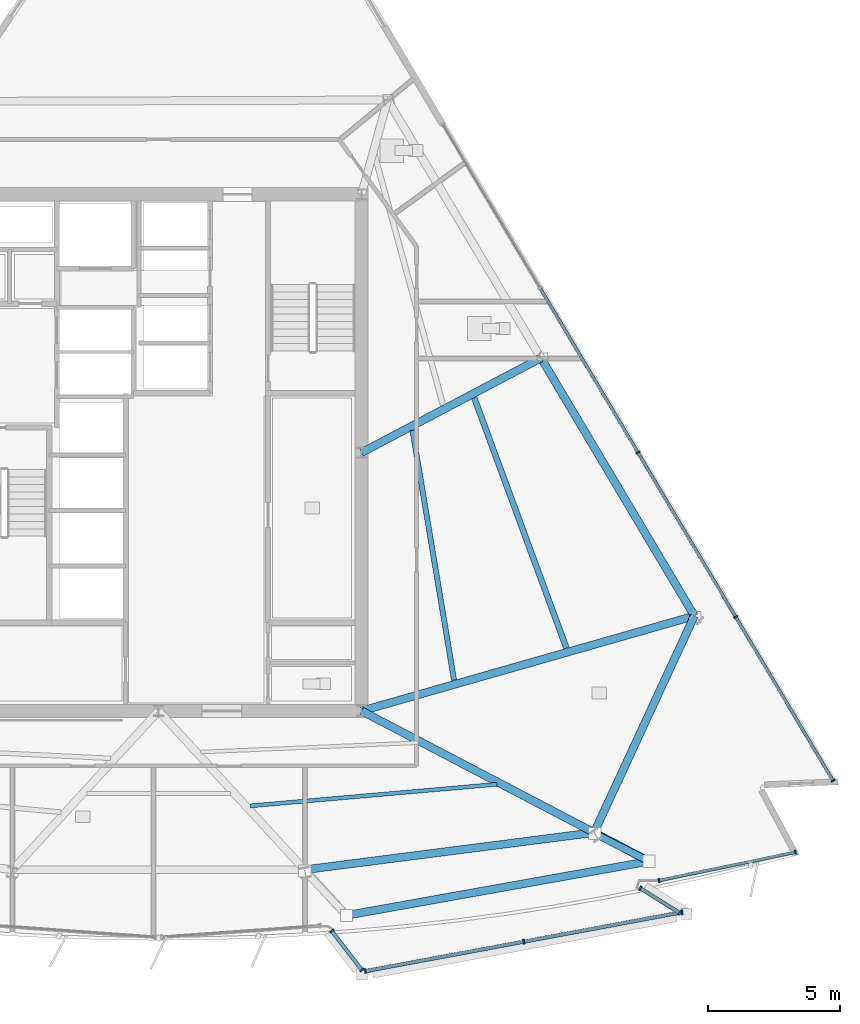
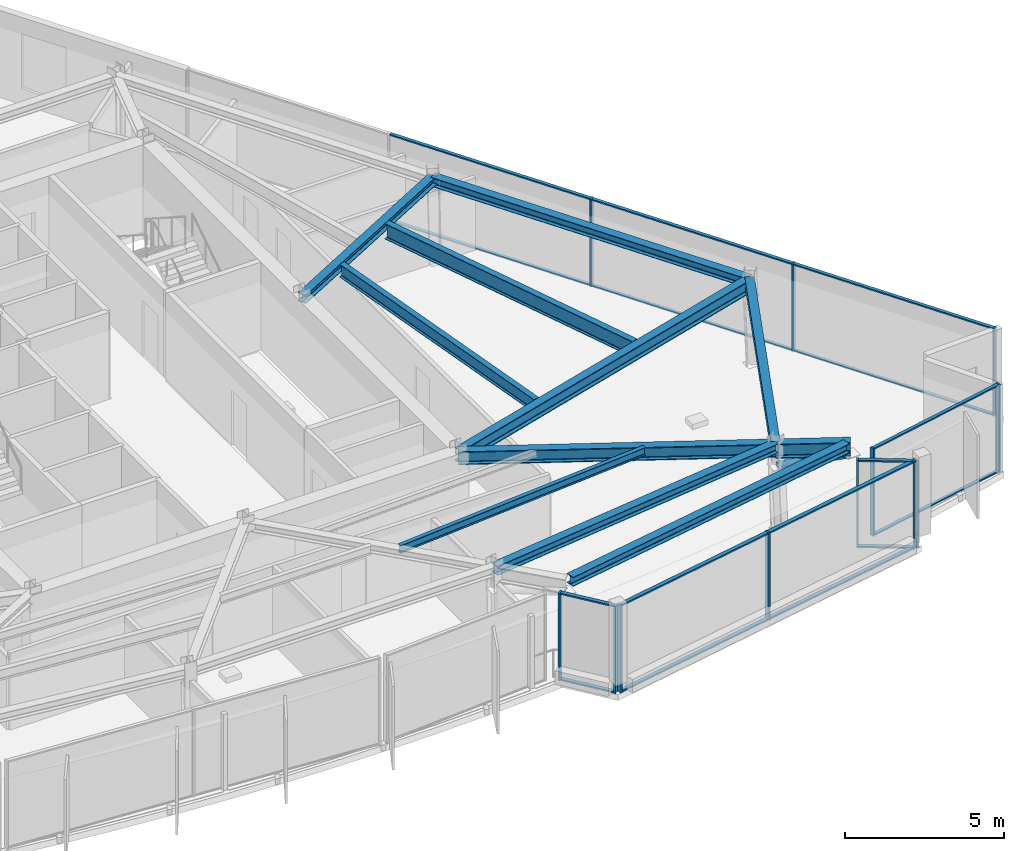
# One storey, part 5 of 13: 29 members, 11 beams, 5 elements without a shape of their own.
"""IFC4 building model written with IfcOpenShell, lengths in metres."""

from ifc_helpers import new_model, si_unit, direction, frame, origin, origin_2d, place, context, subcontext, project, spatial, rectangle, hollow_circle, i_section, extrude, material, material_profile, profile_set, type_object, element, aggregate, save


model = new_model("IFC4")

# Units and contexts
model_context = context("Model", 3, precision=1e-05, world=origin(), true_north=direction((0.0, 1.0)))
body_context = subcontext(model_context, "Body", "Model", "MODEL_VIEW")
ifc_project = project(units=[si_unit("LENGTHUNIT", "METRE"), si_unit("AREAUNIT", "SQUARE_METRE"), si_unit("VOLUMEUNIT", "CUBIC_METRE"), si_unit("PLANEANGLEUNIT", "RADIAN"), si_unit("MASSUNIT", "GRAM", prefix="KILO")], contexts=[model_context])

# Site, building, storey
site_placement = place(None, origin())
site = spatial("IfcSite", under=ifc_project, at=site_placement, CompositionType="ELEMENT")
building_placement = place(site_placement, origin())
building = spatial("IfcBuilding", under=site, at=building_placement, Name="Savorim Split Tower", CompositionType="ELEMENT")
storey_placement = place(building_placement, frame((0.0, 0.0, 216.300048828125)))
storey = spatial("IfcBuildingStorey", under=building, at=storey_placement, Name="L57", CompositionType="ELEMENT", Elevation=216.300048828125)

# Beams
ifc_material_1 = material(Name="Steel S355", Category="steel")
ifc_material_profile_1 = material_profile(ifc_material_1, i_section(OverallWidth=0.14990234375, OverallDepth=0.300048828125, WebThickness=0.007080078125, FlangeThickness=0.0107421875, FilletRadius=0.014892578125, at=origin_2d()), Name="IPE 300")
ifc_profile_set_1 = profile_set([ifc_material_profile_1], Name="Steel S355")
beam_type_1 = type_object("IfcBeamType", Name="BM-JST-IPE300", PredefinedType="JOIST", material=ifc_profile_set_1)
beam_1_placement = place(storey_placement, frame((3.481689453125, -13.001220703125, 3.199951171875), z_axis=(0.996190950642, 0.087198565695, 0.0), x_axis=(-0.087198565695, 0.996190950642, 0.0)))
element("IfcBeam", 1, at=beam_1_placement, inside=storey, type_object=beam_type_1, Name="L57 Secondary Floor Joist JS-04", PredefinedType="JOIST", context=body_context, shape_type="SweptSolid", body=[
    extrude(i_section(OverallWidth=0.14990234375, OverallDepth=0.300048828125, WebThickness=0.007080078125, FlangeThickness=0.0107421875, FilletRadius=0.014892578125, at=origin_2d()), origin(), (0.0, 0.0, 1.0), 9.3876953125),
])
ifc_material_profile_2 = material_profile(ifc_material_1, i_section(OverallWidth=0.199951171875, OverallDepth=0.5, WebThickness=0.01025390625, FlangeThickness=0.01611328125, FilletRadius=0.02099609375, at=origin_2d()), Name="IPE 500")
ifc_profile_set_2 = profile_set([ifc_material_profile_2], Name="Steel S355")
beam_type_2 = type_object("IfcBeamType", Name="BM-JST-IPE500", PredefinedType="JOIST", material=ifc_profile_set_2)
beam_2_placement = place(storey_placement, frame((11.208740234375, -8.233154296875, 3.099853515625), z_axis=(-0.164057057436, 0.986450851237, 0.0), x_axis=(-0.986450851237, -0.164057057436, 0.0)))
element("IfcBeam", 2, at=beam_2_placement, inside=storey, type_object=beam_type_2, Name="L57 Secondary Floor Joist JS-08", PredefinedType="JOIST", context=body_context, shape_type="SweptSolid", body=[
    extrude(i_section(OverallWidth=0.199951171875, OverallDepth=0.5, WebThickness=0.01025390625, FlangeThickness=0.01611328125, FilletRadius=0.02099609375, at=origin_2d()), origin(), (0.0, 0.0, 1.0), 9.6103515625),
])
ifc_material_profile_3 = material_profile(ifc_material_1, i_section(OverallWidth=0.219970703125, OverallDepth=0.60009765625, WebThickness=0.011962890625, FlangeThickness=0.01904296875, FilletRadius=0.02392578125, at=origin_2d()), Name="IPE 600")
ifc_profile_set_3 = profile_set([ifc_material_profile_3], Name="Steel S355")
beam_type_3 = type_object("IfcBeamType", Name="BM-JST-IPE600", PredefinedType="JOIST", material=ifc_profile_set_3)
beam_3_placement = place(storey_placement, frame((15.47216796875, -7.015869140625, 3.050048828125), z_axis=(-0.345718781495, 0.938338171515, 0.0), x_axis=(-0.938338171515, -0.345718781495, 0.0)))
element("IfcBeam", 3, at=beam_3_placement, inside=storey, type_object=beam_type_3, Name="L57 Secondary Floor Joist JS-06", PredefinedType="JOIST", context=body_context, shape_type="SweptSolid", body=[
    extrude(i_section(OverallWidth=0.219970703125, OverallDepth=0.60009765625, WebThickness=0.011962890625, FlangeThickness=0.01904296875, FilletRadius=0.02392578125, at=origin_2d()), origin(), (0.0, 0.0, 1.0), 10.11474609375),
])
ifc_material_profile_4 = material_profile(ifc_material_1, i_section(OverallWidth=0.300048828125, OverallDepth=0.320068359375, WebThickness=0.011474609375, FlangeThickness=0.0205078125, FilletRadius=0.027099609375, at=origin_2d()), Name="HEB 320")
ifc_profile_set_4 = profile_set([ifc_material_profile_4], Name="Steel S355")
beam_type_4 = type_object("IfcBeamType", Name="BM-PRI-HEB320", PredefinedType="BEAM", material=ifc_profile_set_4)
beam_4_placement = place(storey_placement, frame((14.50634765625, 3.98876953125, 3.18994140625), z_axis=(-0.884566958413, -0.466413224602, 0.0), x_axis=(0.466413224602, -0.884566958413, 0.0)))
element("IfcBeam", 4, at=beam_4_placement, inside=storey, type_object=beam_type_4, Name="L57 Primary Floor Girder RG-06", PredefinedType="BEAM", context=body_context, shape_type="SweptSolid", body=[
    extrude(i_section(OverallWidth=0.300048828125, OverallDepth=0.320068359375, WebThickness=0.011474609375, FlangeThickness=0.0205078125, FilletRadius=0.027099609375, at=origin_2d()), origin(), (0.0, 0.0, 1.0), 7.694580078125),
])
ifc_material_profile_5 = material_profile(ifc_material_1, i_section(OverallWidth=0.300048828125, OverallDepth=0.5, WebThickness=0.014404296875, FlangeThickness=0.028076171875, FilletRadius=0.027099609375, at=origin_2d()), Name="HEB 500")
ifc_profile_set_5 = profile_set([ifc_material_profile_5], Name="Steel S355")
beam_type_5 = type_object("IfcBeamType", Name="BM-PRI-HEB500", PredefinedType="BEAM", material=ifc_profile_set_5)
beam_5_placement = place(storey_placement, frame((16.52197265625, -14.0146484375, 3.099853515625), z_axis=(-0.886092015085, 0.463509375097, 0.0), x_axis=(-0.463509375097, -0.886092015085, 0.0)))
element("IfcBeam", 5, at=beam_5_placement, inside=storey, type_object=beam_type_5, Name="L57 Primary Floor Girder RG-04", PredefinedType="BEAM", context=body_context, shape_type="SweptSolid", body=[
    extrude(i_section(OverallWidth=0.300048828125, OverallDepth=0.5, WebThickness=0.014404296875, FlangeThickness=0.028076171875, FilletRadius=0.027099609375, at=origin_2d()), origin(), (0.0, 0.0, 1.0), 9.9560546875),
])
beam_6_placement = place(storey_placement, frame((20.324951171875, -5.796630859375, 3.099853515625), z_axis=(-0.961601798875, -0.274448502274, 0.0), x_axis=(0.274448502274, -0.961601798875, 0.0)))
element("IfcBeam", 6, at=beam_6_placement, inside=storey, type_object=beam_type_5, Name="L57 Primary Floor Girder RG-05", PredefinedType="BEAM", context=body_context, shape_type="SweptSolid", body=[
    extrude(i_section(OverallWidth=0.300048828125, OverallDepth=0.5, WebThickness=0.014404296875, FlangeThickness=0.028076171875, FilletRadius=0.027099609375, at=origin_2d()), origin(), (0.0, 0.0, 1.0), 13.129150390625),
])
ifc_material_profile_6 = material_profile(ifc_material_1, i_section(OverallWidth=0.300048828125, OverallDepth=0.550048828125, WebThickness=0.014892578125, FlangeThickness=0.029052734375, FilletRadius=0.027099609375, at=origin_2d()), Name="HEB 550")
ifc_profile_set_6 = profile_set([ifc_material_profile_6], Name="Steel S355")
beam_type_6 = type_object("IfcBeamType", Name="BM-PRI-HEB550", PredefinedType="BEAM", material=ifc_profile_set_6)
beam_7_placement = place(storey_placement, frame((16.52197265625, -14.0146484375, 3.074951171875), z_axis=(0.886069328362, -0.463552742778, 0.0), x_axis=(0.463552742778, 0.886069328362, 0.0)))
element("IfcBeam", 7, at=beam_7_placement, inside=storey, type_object=beam_type_6, Name="L57 Cantilevered Lounge Rib 2", PredefinedType="BEAM", context=body_context, shape_type="SweptSolid", body=[
    extrude(i_section(OverallWidth=0.300048828125, OverallDepth=0.550048828125, WebThickness=0.014892578125, FlangeThickness=0.029052734375, FilletRadius=0.027099609375, at=origin_2d()), origin(), (0.0, 0.0, 1.0), 2.35009765625),
])
ifc_material_profile_7 = material_profile(ifc_material_1, i_section(OverallWidth=0.300048828125, OverallDepth=0.35009765625, WebThickness=0.010009765625, FlangeThickness=0.017578125, FilletRadius=0.027099609375, at=origin_2d()), Name="HEA 360")
ifc_profile_set_7 = profile_set([ifc_material_profile_7], Name="Steel S355")
beam_type_7 = type_object("IfcBeamType", Name="BM-SPN-HEA360", PredefinedType="SPANDREL", material=ifc_profile_set_7)
beam_8_placement = place(storey_placement, frame((5.537353515625, -15.425048828125, 3.175048828125), z_axis=(0.991857548844, 0.127352278347, 0.0), x_axis=(-0.127352278347, 0.991857548844, 0.0)))
element("IfcBeam", 8, at=beam_8_placement, inside=storey, type_object=beam_type_7, Name="L57 Perimeter Spandrel Beam 3", PredefinedType="SPANDREL", context=body_context, shape_type="SweptSolid", body=[
    extrude(i_section(OverallWidth=0.300048828125, OverallDepth=0.35009765625, WebThickness=0.010009765625, FlangeThickness=0.017578125, FilletRadius=0.027099609375, at=origin_2d()), origin(), (0.0, 0.0, 1.0), 11.07470703125),
])
beam_9_placement = place(storey_placement, frame((16.52197265625, -14.0146484375, 3.175048828125), z_axis=(0.419972668604, 0.907536752769, 0.0), x_axis=(-0.907536752769, 0.419972668604, 0.0)))
element("IfcBeam", 9, at=beam_9_placement, inside=storey, type_object=beam_type_7, Name="L57 Perimeter Spandrel Beam 4", PredefinedType="SPANDREL", context=body_context, shape_type="SweptSolid", body=[
    extrude(i_section(OverallWidth=0.300048828125, OverallDepth=0.35009765625, WebThickness=0.010009765625, FlangeThickness=0.017578125, FilletRadius=0.027099609375, at=origin_2d()), origin(), (0.0, 0.0, 1.0), 9.055419921875),
])
beam_10_placement = place(storey_placement, frame((20.324951171875, -5.796630859375, 3.175048828125), z_axis=(-0.511092092584, 0.859525958246, 0.0), x_axis=(-0.859525958246, -0.511092092584, 0.0)))
element("IfcBeam", 10, at=beam_10_placement, inside=storey, type_object=beam_type_7, Name="L57 Perimeter Spandrel Beam 5", PredefinedType="SPANDREL", context=body_context, shape_type="SweptSolid", body=[
    extrude(i_section(OverallWidth=0.300048828125, OverallDepth=0.35009765625, WebThickness=0.010009765625, FlangeThickness=0.017578125, FilletRadius=0.027099609375, at=origin_2d()), origin(), (0.0, 0.0, 1.0), 11.384765625),
])
beam_11_placement = place(storey_placement, frame((7.28515625, -17.126953125, 3.175048828125), z_axis=(0.984401214998, 0.175938193441, 0.0), x_axis=(-0.175938193441, 0.984401214998, 0.0)))
element("IfcBeam", 11, at=beam_11_placement, inside=storey, type_object=beam_type_7, Name="L57 Cantilevered Lounge Front Edge Beam", PredefinedType="SPANDREL", context=body_context, shape_type="SweptSolid", body=[
    extrude(i_section(OverallWidth=0.300048828125, OverallDepth=0.35009765625, WebThickness=0.010009765625, FlangeThickness=0.017578125, FilletRadius=0.027099609375, at=origin_2d()), origin(), (0.0, 0.0, 1.0), 11.33837890625),
])

# Curtain wall, members
ifc_material_2 = material(Name="Dark Ceramic-Fritted Insulated Glass", Category="glass")
curtain_wall_type_1 = type_object("IfcCurtainWallType", Name="CW-TWR-FRIT-B", PredefinedType="NOTDEFINED", material=ifc_material_2)
curtain_wall_1_placement = place(storey_placement, origin())
curtain_wall_1 = element("IfcCurtainWall", 12, at=curtain_wall_1_placement, inside=storey, type_object=curtain_wall_type_1, Name="L57 Curtain Wall CW-L57-SF4A", PredefinedType="NOTDEFINED")
ifc_material_3 = material(Name="Charcoal Anodised Aluminium", Category="aluminium")
ifc_material_profile_8 = material_profile(ifc_material_3, rectangle(XDim=0.159912109375, YDim=0.06005859375, at=origin_2d()), Name="ALU-M 160x60")
ifc_profile_set_8 = profile_set([ifc_material_profile_8], Name="Charcoal Anodised Aluminium")
member_type_1 = type_object("IfcMemberType", Name="CWM-160x60", PredefinedType="MULLION", material=ifc_profile_set_8)
member_1_placement = place(storey_placement, frame((18.982421875, -15.832763671875, 0.0), z_axis=(0.0, 0.0, 1.0), x_axis=(-0.203211043732, 0.979134960925, 0.0)))
member_1 = element("IfcMember", 13, at=member_1_placement, type_object=member_type_1, Name="CW-03 mullion 1", PredefinedType="MULLION", context=body_context, shape_type="SweptSolid", body=[
    extrude(rectangle(XDim=0.159912109375, YDim=0.06005859375, at=origin_2d()), origin(), (0.0, 0.0, 1.0), 3.349853515625),
])
member_2_placement = place(storey_placement, frame((24.15869140625, -14.758544921875, 0.0), z_axis=(0.0, 0.0, 1.0), x_axis=(-0.203211043732, 0.979134960925, 0.0)))
member_2 = element("IfcMember", 14, at=member_2_placement, type_object=member_type_1, Name="CW-03 mullion 2", PredefinedType="MULLION", context=body_context, shape_type="SweptSolid", body=[
    extrude(rectangle(XDim=0.159912109375, YDim=0.06005859375, at=origin_2d()), origin(), (0.0, 0.0, 1.0), 3.349853515625),
])

curtain_wall_2_placement = place(storey_placement, origin())
curtain_wall_2 = element("IfcCurtainWall", 15, at=curtain_wall_2_placement, inside=storey, type_object=curtain_wall_type_1, Name="L57 Curtain Wall CW-L57-EAST", PredefinedType="NOTDEFINED")
member_3_placement = place(storey_placement, frame((25.586181640625, -12.04736328125, 0.0), z_axis=(0.0, 0.0, 1.0), x_axis=(-0.859525909056, -0.511092175308, 0.0)))
member_3 = element("IfcMember", 16, at=member_3_placement, type_object=member_type_1, Name="CW-03 mullion 1", PredefinedType="MULLION", context=body_context, shape_type="SweptSolid", body=[
    extrude(rectangle(XDim=0.159912109375, YDim=0.06005859375, at=origin_2d()), origin(), (0.0, 0.0, 1.0), 3.349853515625),
])
member_4_placement = place(storey_placement, frame((21.89208984375, -5.8349609375, 0.0), z_axis=(0.0, 0.0, 1.0), x_axis=(-0.859525909056, -0.511092175308, 0.0)))
member_4 = element("IfcMember", 17, at=member_4_placement, type_object=member_type_1, Name="CW-03 mullion 2", PredefinedType="MULLION", context=body_context, shape_type="SweptSolid", body=[
    extrude(rectangle(XDim=0.159912109375, YDim=0.06005859375, at=origin_2d()), origin(), (0.0, 0.0, 1.0), 3.349853515625),
])
member_5_placement = place(storey_placement, frame((18.1826171875, 0.4033203125, 0.0), z_axis=(0.0, 0.0, 1.0), x_axis=(-0.859525909056, -0.511092175308, 0.0)))
member_5 = element("IfcMember", 18, at=member_5_placement, type_object=member_type_1, Name="CW-03 mullion 3", PredefinedType="MULLION", context=body_context, shape_type="SweptSolid", body=[
    extrude(rectangle(XDim=0.159912109375, YDim=0.06005859375, at=origin_2d()), origin(), (0.0, 0.0, 1.0), 3.349853515625),
])

curtain_wall_type_2 = type_object("IfcCurtainWallType", Name="CW-BAY-LOUNGE", PredefinedType="NOTDEFINED", material=ifc_material_2)
curtain_wall_3_placement = place(storey_placement, origin())
curtain_wall_3 = element("IfcCurtainWall", 19, at=curtain_wall_3_placement, inside=storey, type_object=curtain_wall_type_2, Name="L57 Curtain Wall CW-L57-BAYF", PredefinedType="NOTDEFINED")
ifc_material_profile_9 = material_profile(ifc_material_3, rectangle(XDim=0.179931640625, YDim=0.06494140625, at=origin_2d()), Name="ALU-M 180x65")
ifc_profile_set_9 = profile_set([ifc_material_profile_9], Name="Charcoal Anodised Aluminium")
member_type_2 = type_object("IfcMemberType", Name="CWM-180x65", PredefinedType="MULLION", material=ifc_profile_set_9)
member_6_placement = place(storey_placement, frame((7.8466796875, -19.27001953125, 0.0), z_axis=(0.0, 0.0, 1.0), x_axis=(-0.182878450662, 0.983135530984, 0.0)))
member_6 = element("IfcMember", 20, at=member_6_placement, type_object=member_type_2, Name="CW-04 mullion 1", PredefinedType="MULLION", context=body_context, shape_type="SweptSolid", body=[
    extrude(rectangle(XDim=0.179931640625, YDim=0.06494140625, at=origin_2d()), origin(), (0.0, 0.0, 1.0), 3.349853515625),
])
member_7_placement = place(storey_placement, frame((13.85205078125, -18.15283203125, 0.0), z_axis=(0.0, 0.0, 1.0), x_axis=(-0.182878450662, 0.983135530984, 0.0)))
member_7 = element("IfcMember", 21, at=member_7_placement, type_object=member_type_2, Name="CW-04 mullion 2", PredefinedType="MULLION", context=body_context, shape_type="SweptSolid", body=[
    extrude(rectangle(XDim=0.179931640625, YDim=0.06494140625, at=origin_2d()), origin(), (0.0, 0.0, 1.0), 3.349853515625),
])
member_8_placement = place(storey_placement, frame((19.857666015625, -17.03564453125, 0.0), z_axis=(0.0, 0.0, 1.0), x_axis=(-0.182878450662, 0.983135530984, 0.0)))
member_8 = element("IfcMember", 22, at=member_8_placement, type_object=member_type_2, Name="CW-04 mullion 3", PredefinedType="MULLION", context=body_context, shape_type="SweptSolid", body=[
    extrude(rectangle(XDim=0.179931640625, YDim=0.06494140625, at=origin_2d()), origin(), (0.0, 0.0, 1.0), 3.349853515625),
])

curtain_wall_4_placement = place(storey_placement, origin())
curtain_wall_4 = element("IfcCurtainWall", 23, at=curtain_wall_4_placement, inside=storey, type_object=curtain_wall_type_2, Name="L57 Curtain Wall CW-L57-BAYW", PredefinedType="NOTDEFINED")
member_9_placement = place(storey_placement, frame((6.567626953125, -17.745849609375, 0.0), z_axis=(0.0, 0.0, 1.0), x_axis=(0.791603443592, 0.61103517746, 0.0)))
member_9 = element("IfcMember", 24, at=member_9_placement, type_object=member_type_2, Name="CW-04 mullion 1", PredefinedType="MULLION", context=body_context, shape_type="SweptSolid", body=[
    extrude(rectangle(XDim=0.179931640625, YDim=0.06494140625, at=origin_2d()), origin(), (0.0, 0.0, 1.0), 3.349853515625),
])
member_10_placement = place(storey_placement, frame((7.713134765625, -19.230224609375, 0.0), z_axis=(0.0, 0.0, 1.0), x_axis=(0.791603443592, 0.61103517746, 0.0)))
member_10 = element("IfcMember", 25, at=member_10_placement, type_object=member_type_2, Name="CW-04 mullion 2", PredefinedType="MULLION", context=body_context, shape_type="SweptSolid", body=[
    extrude(rectangle(XDim=0.179931640625, YDim=0.06494140625, at=origin_2d()), origin(), (0.0, 0.0, 1.0), 3.349853515625),
])

curtain_wall_5_placement = place(storey_placement, origin())
curtain_wall_5 = element("IfcCurtainWall", 26, at=curtain_wall_5_placement, inside=storey, type_object=curtain_wall_type_2, Name="L57 Curtain Wall CW-L57-BAYE", PredefinedType="NOTDEFINED")
member_11_placement = place(storey_placement, frame((19.771484375, -17.065185546875, 0.0), z_axis=(0.0, 0.0, 1.0), x_axis=(-0.53011649475, -0.847924820956, 0.0)))
member_11 = element("IfcMember", 27, at=member_11_placement, type_object=member_type_2, Name="CW-04 mullion 1", PredefinedType="MULLION", context=body_context, shape_type="SweptSolid", body=[
    extrude(rectangle(XDim=0.179931640625, YDim=0.06494140625, at=origin_2d()), origin(), (0.0, 0.0, 1.0), 3.349853515625),
])
member_12_placement = place(storey_placement, frame((18.2705078125, -16.126708984375, 0.0), z_axis=(0.0, 0.0, 1.0), x_axis=(-0.53011649475, -0.847924820956, 0.0)))
member_12 = element("IfcMember", 28, at=member_12_placement, type_object=member_type_2, Name="CW-04 mullion 2", PredefinedType="MULLION", context=body_context, shape_type="SweptSolid", body=[
    extrude(rectangle(XDim=0.179931640625, YDim=0.06494140625, at=origin_2d()), origin(), (0.0, 0.0, 1.0), 3.349853515625),
])

# Member
ifc_material_profile_10 = material_profile(ifc_material_3, rectangle(XDim=0.1201171875, YDim=0.050048828125, at=origin_2d()), Name="ALU-T 120x50")
ifc_profile_set_10 = profile_set([ifc_material_profile_10], Name="Charcoal Anodised Aluminium")
member_type_3 = type_object("IfcMemberType", Name="CWT-120x50", PredefinedType="USERDEFINED", material=ifc_profile_set_10)
member_13_placement = place(storey_placement, frame((19.01171875, -15.82666015625, 0.02490234375), z_axis=(0.979139448696, 0.203189419036, 0.0), x_axis=(-0.203189419036, 0.979139448696, 0.0)))
member_13 = element("IfcMember", 29, at=member_13_placement, type_object=member_type_3, Name="CW-03 transom 1.1", ObjectType="TRANSOM", PredefinedType="USERDEFINED", context=body_context, shape_type="SweptSolid", body=[
    extrude(rectangle(XDim=0.1201171875, YDim=0.050048828125, at=origin_2d()), origin(), (0.0, 0.0, 1.0), 5.226806640625),
])

member_14_placement = place(storey_placement, frame((19.01171875, -15.82666015625, 3.324951171875), z_axis=(0.979139448696, 0.203189419036, 0.0), x_axis=(-0.203189419036, 0.979139448696, 0.0)))
member_14 = element("IfcMember", 30, at=member_14_placement, type_object=member_type_3, Name="CW-03 transom 1.2", ObjectType="TRANSOM", PredefinedType="USERDEFINED", context=body_context, shape_type="SweptSolid", body=[
    extrude(rectangle(XDim=0.1201171875, YDim=0.050048828125, at=origin_2d()), origin(), (0.0, 0.0, 1.0), 5.226806640625),
])

aggregate(curtain_wall_1, [member_1, member_2, member_13, member_14])

member_15_placement = place(storey_placement, frame((25.57080078125, -12.021484375, 0.02490234375), z_axis=(-0.511085594604, 0.859529822047, 0.0), x_axis=(-0.859529822047, -0.511085594604, 0.0)))
member_15 = element("IfcMember", 31, at=member_15_placement, type_object=member_type_3, Name="CW-03 transom 1.1", ObjectType="TRANSOM", PredefinedType="USERDEFINED", context=body_context, shape_type="SweptSolid", body=[
    extrude(rectangle(XDim=0.1201171875, YDim=0.050048828125, at=origin_2d()), origin(), (0.0, 0.0, 1.0), 7.167724609375),
])

member_16_placement = place(storey_placement, frame((25.57080078125, -12.021484375, 3.324951171875), z_axis=(-0.511085594604, 0.859529822047, 0.0), x_axis=(-0.859529822047, -0.511085594604, 0.0)))
member_16 = element("IfcMember", 32, at=member_16_placement, type_object=member_type_3, Name="CW-03 transom 1.2", ObjectType="TRANSOM", PredefinedType="USERDEFINED", context=body_context, shape_type="SweptSolid", body=[
    extrude(rectangle(XDim=0.1201171875, YDim=0.050048828125, at=origin_2d()), origin(), (0.0, 0.0, 1.0), 7.167724609375),
])

member_17_placement = place(storey_placement, frame((21.876708984375, -5.80908203125, 0.02490234375), z_axis=(-0.511099775208, 0.85952138995, 0.0), x_axis=(-0.85952138995, -0.511099775208, 0.0)))
member_17 = element("IfcMember", 33, at=member_17_placement, type_object=member_type_3, Name="CW-03 transom 2.1", ObjectType="TRANSOM", PredefinedType="USERDEFINED", context=body_context, shape_type="SweptSolid", body=[
    extrude(rectangle(XDim=0.1201171875, YDim=0.050048828125, at=origin_2d()), origin(), (0.0, 0.0, 1.0), 7.19775390625),
])

member_18_placement = place(storey_placement, frame((21.876708984375, -5.80908203125, 3.324951171875), z_axis=(-0.511099775208, 0.85952138995, 0.0), x_axis=(-0.85952138995, -0.511099775208, 0.0)))
member_18 = element("IfcMember", 34, at=member_18_placement, type_object=member_type_3, Name="CW-03 transom 2.2", ObjectType="TRANSOM", PredefinedType="USERDEFINED", context=body_context, shape_type="SweptSolid", body=[
    extrude(rectangle(XDim=0.1201171875, YDim=0.050048828125, at=origin_2d()), origin(), (0.0, 0.0, 1.0), 7.19775390625),
])

member_19_placement = place(storey_placement, frame((18.16748046875, 0.428955078125, 0.02490234375), z_axis=(-0.511084874667, 0.859530250129, 0.0), x_axis=(-0.859530250129, -0.511084874667, 0.0)))
member_19 = element("IfcMember", 35, at=member_19_placement, type_object=member_type_3, Name="CW-03 transom 3.1", ObjectType="TRANSOM", PredefinedType="USERDEFINED", context=body_context, shape_type="SweptSolid", body=[
    extrude(rectangle(XDim=0.1201171875, YDim=0.050048828125, at=origin_2d()), origin(), (0.0, 0.0, 1.0), 7.19775390625),
])

member_20_placement = place(storey_placement, frame((18.16748046875, 0.428955078125, 3.324951171875), z_axis=(-0.511084874667, 0.859530250129, 0.0), x_axis=(-0.859530250129, -0.511084874667, 0.0)))
member_20 = element("IfcMember", 36, at=member_20_placement, type_object=member_type_3, Name="CW-03 transom 3.2", ObjectType="TRANSOM", PredefinedType="USERDEFINED", context=body_context, shape_type="SweptSolid", body=[
    extrude(rectangle(XDim=0.1201171875, YDim=0.050048828125, at=origin_2d()), origin(), (0.0, 0.0, 1.0), 7.19775390625),
])

aggregate(curtain_wall_2, [member_3, member_4, member_5, member_15, member_16, member_17, member_18, member_19, member_20])

ifc_material_profile_11 = material_profile(ifc_material_3, rectangle(XDim=0.139892578125, YDim=0.054931640625, at=origin_2d()), Name="ALU-T 140x55")
ifc_profile_set_11 = profile_set([ifc_material_profile_11], Name="Charcoal Anodised Aluminium")
member_type_4 = type_object("IfcMemberType", Name="CWT-140x55", PredefinedType="USERDEFINED", material=ifc_profile_set_11)
member_21_placement = place(storey_placement, frame((7.878662109375, -19.263916015625, 0.02734375), z_axis=(0.983134610624, 0.182883398352, 0.0), x_axis=(-0.182883398352, 0.983134610624, 0.0)))
member_21 = element("IfcMember", 37, at=member_21_placement, type_object=member_type_4, Name="CW-04 transom 1.1", ObjectType="TRANSOM", PredefinedType="USERDEFINED", context=body_context, shape_type="SweptSolid", body=[
    extrude(rectangle(XDim=0.139892578125, YDim=0.054931640625, at=origin_2d()), origin(), (0.0, 0.0, 1.0), 6.043212890625),
])

member_22_placement = place(storey_placement, frame((7.878662109375, -19.263916015625, 3.322509765625), z_axis=(0.983134610624, 0.182883398352, 0.0), x_axis=(-0.182883398352, 0.983134610624, 0.0)))
member_22 = element("IfcMember", 38, at=member_22_placement, type_object=member_type_4, Name="CW-04 transom 1.2", ObjectType="TRANSOM", PredefinedType="USERDEFINED", context=body_context, shape_type="SweptSolid", body=[
    extrude(rectangle(XDim=0.139892578125, YDim=0.054931640625, at=origin_2d()), origin(), (0.0, 0.0, 1.0), 6.043212890625),
])

member_23_placement = place(storey_placement, frame((13.884033203125, -18.14697265625, 0.02734375), z_axis=(0.983135961721, 0.18287613505, 0.0), x_axis=(-0.18287613505, 0.983135961721, 0.0)))
member_23 = element("IfcMember", 39, at=member_23_placement, type_object=member_type_4, Name="CW-04 transom 2.1", ObjectType="TRANSOM", PredefinedType="USERDEFINED", context=body_context, shape_type="SweptSolid", body=[
    extrude(rectangle(XDim=0.139892578125, YDim=0.054931640625, at=origin_2d()), origin(), (0.0, 0.0, 1.0), 6.04345703125),
])

member_24_placement = place(storey_placement, frame((13.884033203125, -18.14697265625, 3.322509765625), z_axis=(0.983135961721, 0.18287613505, 0.0), x_axis=(-0.18287613505, 0.983135961721, 0.0)))
member_24 = element("IfcMember", 40, at=member_24_placement, type_object=member_type_4, Name="CW-04 transom 2.2", ObjectType="TRANSOM", PredefinedType="USERDEFINED", context=body_context, shape_type="SweptSolid", body=[
    extrude(rectangle(XDim=0.139892578125, YDim=0.054931640625, at=origin_2d()), origin(), (0.0, 0.0, 1.0), 6.04345703125),
])

aggregate(curtain_wall_3, [member_6, member_7, member_8, member_21, member_22, member_23, member_24])

member_25_placement = place(storey_placement, frame((6.58740234375, -17.771728515625, 0.02734375), z_axis=(0.611078870263, -0.791569715387, 0.0), x_axis=(0.791569715387, 0.611078870263, 0.0)))
member_25 = element("IfcMember", 41, at=member_25_placement, type_object=member_type_4, Name="CW-04 transom 1.1", ObjectType="TRANSOM", PredefinedType="USERDEFINED", context=body_context, shape_type="SweptSolid", body=[
    extrude(rectangle(XDim=0.139892578125, YDim=0.054931640625, at=origin_2d()), origin(), (0.0, 0.0, 1.0), 1.809814453125),
])

member_26_placement = place(storey_placement, frame((6.58740234375, -17.771728515625, 3.322509765625), z_axis=(0.611078870263, -0.791569715387, 0.0), x_axis=(0.791569715387, 0.611078870263, 0.0)))
member_26 = element("IfcMember", 42, at=member_26_placement, type_object=member_type_4, Name="CW-04 transom 1.2", ObjectType="TRANSOM", PredefinedType="USERDEFINED", context=body_context, shape_type="SweptSolid", body=[
    extrude(rectangle(XDim=0.139892578125, YDim=0.054931640625, at=origin_2d()), origin(), (0.0, 0.0, 1.0), 1.809814453125),
])

aggregate(curtain_wall_4, [member_9, member_10, member_25, member_26])

member_27_placement = place(storey_placement, frame((19.743896484375, -17.0478515625, 0.02734375), z_axis=(-0.8479500354, 0.530076161947, 0.0), x_axis=(-0.530076161947, -0.8479500354, 0.0)))
member_27 = element("IfcMember", 43, at=member_27_placement, type_object=member_type_4, Name="CW-04 transom 1.1", ObjectType="TRANSOM", PredefinedType="USERDEFINED", context=body_context, shape_type="SweptSolid", body=[
    extrude(rectangle(XDim=0.139892578125, YDim=0.054931640625, at=origin_2d()), origin(), (0.0, 0.0, 1.0), 1.705078125),
])

member_28_placement = place(storey_placement, frame((19.743896484375, -17.0478515625, 3.322509765625), z_axis=(-0.8479500354, 0.530076161947, 0.0), x_axis=(-0.530076161947, -0.8479500354, 0.0)))
member_28 = element("IfcMember", 44, at=member_28_placement, type_object=member_type_4, Name="CW-04 transom 1.2", ObjectType="TRANSOM", PredefinedType="USERDEFINED", context=body_context, shape_type="SweptSolid", body=[
    extrude(rectangle(XDim=0.139892578125, YDim=0.054931640625, at=origin_2d()), origin(), (0.0, 0.0, 1.0), 1.705078125),
])

aggregate(curtain_wall_5, [member_11, member_12, member_27, member_28])

ifc_material_profile_12 = material_profile(ifc_material_1, hollow_circle(Radius=0.136474609375, WallThickness=0.01611328125, at=origin_2d()), Name="CHS 273x16")
ifc_profile_set_12 = profile_set([ifc_material_profile_12], Name="Steel S355")
member_type_5 = type_object("IfcMemberType", Name="MBR-CRN-CHS273", PredefinedType="BRACE", material=ifc_profile_set_12)
member_29_placement = place(storey_placement, frame((16.545654296875, -14.05322265625, 2.449951171875), z_axis=(0.879473035185, -0.448915078681, 0.158121575112), x_axis=(0.454634539789, 0.890678076092, 0.0)))
element("IfcMember", 45, at=member_29_placement, inside=storey, type_object=member_type_5, Name="L57 Cantilevered Bay Support Strut 2", PredefinedType="BRACE", context=body_context, shape_type="SweptSolid", body=[
    extrude(hollow_circle(Radius=0.136474609375, WallThickness=0.01611328125, at=origin_2d()), origin(), (0.0, 0.0, 1.0), 2.3408203125),
])

save(model, "model.ifc")
